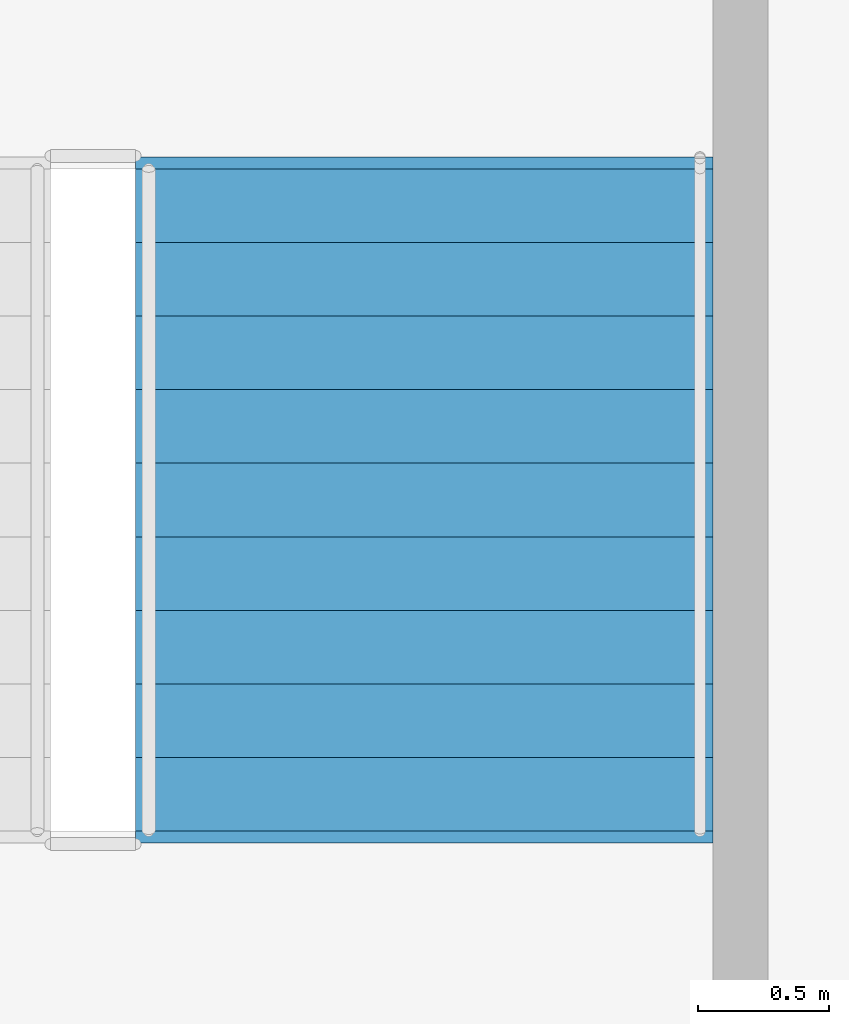
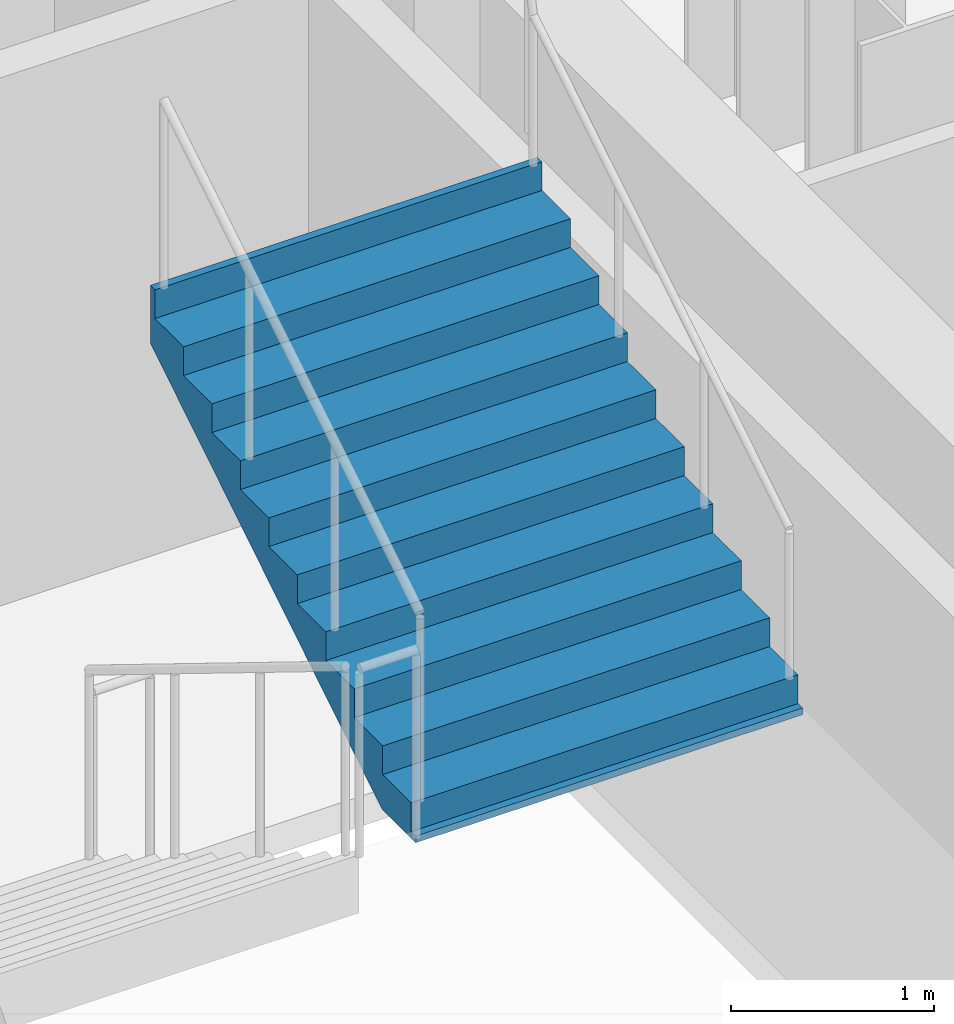
# One storey, part 8 of 10: 1 stair flight, 1 element without a shape of its own.
"""IFC4 building model written with IfcOpenShell, lengths in metres."""

from ifc_helpers import new_model, si_unit, direction, frame, origin, place, context, subcontext, project, spatial, polyline, outline, extrude, material, layer, layer_set, type_object, element, aggregate, save


model = new_model("IFC4")

# Units and contexts
model_context = context("Model", 3, precision=1e-05, world=origin(), true_north=direction((0.0, 1.0)))
body_context = subcontext(model_context, "Body", "Model", "MODEL_VIEW")
ifc_project = project(units=[si_unit("LENGTHUNIT", "METRE"), si_unit("AREAUNIT", "SQUARE_METRE"), si_unit("VOLUMEUNIT", "CUBIC_METRE"), si_unit("PLANEANGLEUNIT", "RADIAN"), si_unit("MASSUNIT", "GRAM", prefix="KILO")], contexts=[model_context])

# Site, building, storey
site_placement = place(None, origin())
site = spatial("IfcSite", under=ifc_project, at=site_placement, CompositionType="ELEMENT")
building_placement = place(site_placement, origin())
building = spatial("IfcBuilding", under=site, at=building_placement, Name="Velakula Bourse", CompositionType="ELEMENT")
storey_placement = place(building_placement, frame((0.0, 0.0, 239.550048828125)))
storey = spatial("IfcBuildingStorey", under=building, at=storey_placement, Name="L65", CompositionType="ELEMENT", Elevation=239.550048828125)

# Stair, stair flight
ifc_material = material(Name="Concrete M45 (fck 45 MPa)", Category="concrete")
stair_type = type_object("IfcStairType", Name="STR-DOG-390", PredefinedType="HALF_TURN_STAIR", material=ifc_material)
stair_placement = place(storey_placement, origin())
stair = element("IfcStair", 1, at=stair_placement, inside=storey, type_object=stair_type, Name="L65 East Core Exit Stair ST-E1", PredefinedType="HALF_TURN_STAIR")
ifc_layer = layer(ifc_material, 0.195068359375, Name="Concrete M45 (fck 45 MPa)", Category="concrete")
ifc_layer_set = layer_set([ifc_layer], Name="Concrete M45 (fck 45 MPa)")
stair_flight_type = type_object("IfcStairFlightType", Name="FLT-DOG-390", PredefinedType="STRAIGHT", material=ifc_layer_set)
stair_flight_placement = place(storey_placement, frame((16.720947265625, -4.719970703125, 1.724853515625), z_axis=(0.0, 0.0, 1.0), x_axis=(0.0, 1.0, 0.0)))
stair_flight = element("IfcStairFlight", 2, at=stair_flight_placement, type_object=stair_flight_type, Name="ST-E1 flight 2", NumberOfRisers=10, NumberOfTreads=9, PredefinedType="STRAIGHT", RiserHeight=0.1725, TreadLength=0.28, context=body_context, shape_type="SweptSolid", body=[
    extrude(outline(polyline([(-0.044921875, -0.0400390625), (-0.044921875, -0.036865234375), (-0.044921875, -0.033935546875), (-0.044921875, -0.03076171875), (-0.044921875, -0.027587890625), (-0.044921875, -0.024658203125), (-0.044921875, -0.021484375), (-0.044921875, -0.0185546875), (-0.044921875, -0.015380859375), (-0.044921875, -0.01220703125), (-0.044921875, -0.00927734375), (-0.044921875, -0.006103515625), (-0.044921875, -0.003173828125), (-0.044921875, 0.0), (0.0, 0.0), (0.0, 0.172607421875), (0.280029296875, 0.172607421875), (0.280029296875, 0.344970703125), (0.56005859375, 0.344970703125), (0.56005859375, 0.517578125), (0.840087890625, 0.517578125), (0.840087890625, 0.68994140625), (1.1201171875, 0.68994140625), (1.1201171875, 0.862548828125), (1.39990234375, 0.862548828125), (1.39990234375, 1.034912109375), (1.679931640625, 1.034912109375), (1.679931640625, 1.20751953125), (1.9599609375, 1.20751953125), (1.9599609375, 1.3798828125), (2.239990234375, 1.3798828125), (2.239990234375, 1.552490234375), (2.52001953125, 1.552490234375), (2.52001953125, 1.72509765625), (2.56494140625, 1.72509765625), (2.56494140625, 1.7001953125), (2.56494140625, 1.67529296875), (2.56494140625, 1.650390625), (2.56494140625, 1.62548828125), (2.56494140625, 1.6005859375), (2.56494140625, 1.57568359375), (2.56494140625, 1.55078125), (2.56494140625, 1.52587890625), (2.56494140625, 1.5009765625), (2.56494140625, 1.47607421875), (2.56494140625, 1.451171875), (2.56494140625, 1.42626953125), (2.56494140625, 1.4013671875), (2.56494140625, 1.37646484375), (0.285888671875, -0.0400390625), (-0.044921875, -0.0400390625)])), frame((0.0, 1.09912109375, 0.0), z_axis=(0.0, -1.0, 0.0), x_axis=(1.0, 0.0, 0.0)), (0.0, 0.0, 1.0), 2.197998046875),
])
aggregate(stair, [stair_flight])

save(model, "model.ifc")
